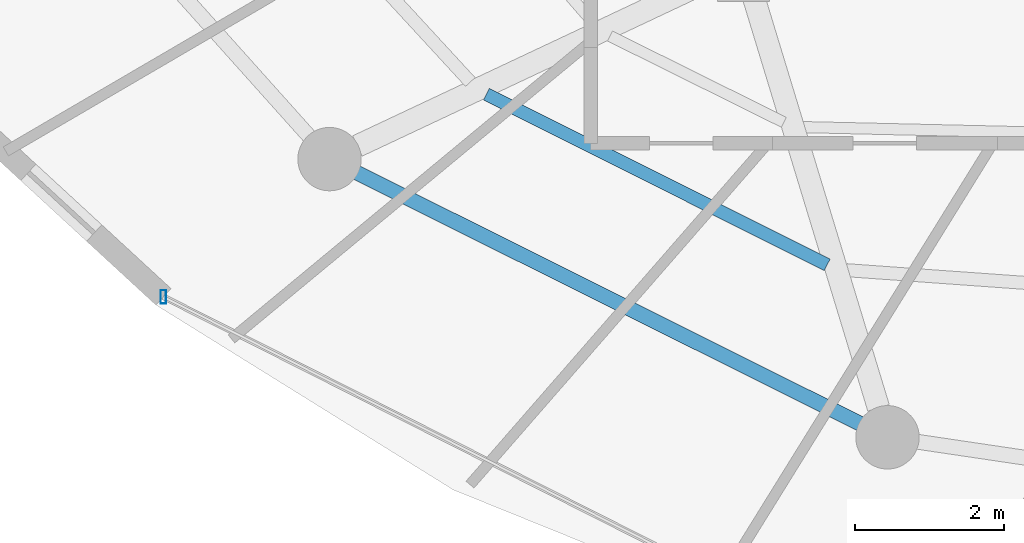
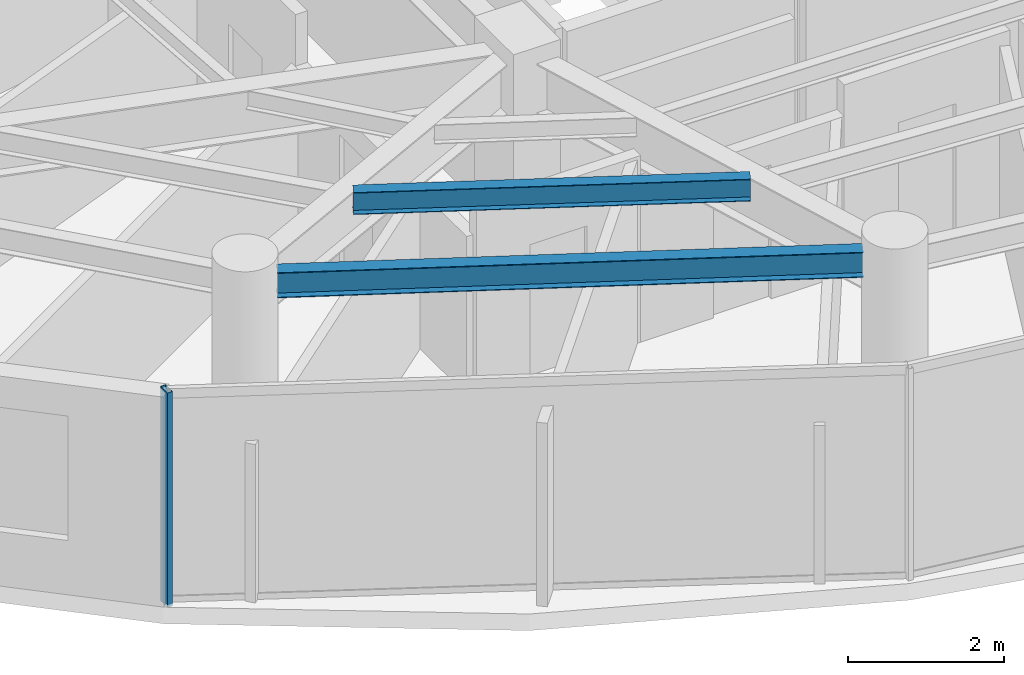
# One storey, part 2 of 30: 2 beams, 1 member, 1 element without a shape of its own.
"""IFC4 building model written with IfcOpenShell, lengths in metres."""

import ifcopenshell
import ifcopenshell.guid

model = None  # the IFC model being written
_history = None  # IfcOwnerHistory: only IFC2X3 demands one
_inside = {}  # id of a spatial element -> (the spatial element, [elements in it])
_under = {}  # id of a project, library or spatial element -> (it, [spatial elements below it])
_declared = {}  # id of a project -> (the project, [libraries it declares])
_typed = {}  # id of a type object -> (the type object, [elements of that type])
_made_of = {}  # id of a material, layer set ... -> (it, [elements and type objects made of it])


def new_model(schema):
    """Start an empty IFC model of exactly this schema.

    Asked for "IFC4X3", IfcOpenShell would pick the latest addendum, in which some entities
    have other attributes; the version numbers below select the first issue.
    IFC2X3 requires an IfcOwnerHistory on every rooted entity: one is made here for all.
    """
    global model, _history
    if schema == "IFC4X3":
        model = ifcopenshell.file(schema_version=(4, 3, 0, 0))
    else:
        model = ifcopenshell.file(schema=schema)
    _inside.clear()
    _under.clear()
    _declared.clear()
    _typed.clear()
    _made_of.clear()
    _history = None
    if model.schema == "IFC2X3":
        org = make("IfcOrganization", Name="unknown")
        user = make(
            "IfcPersonAndOrganization",
            ThePerson=make("IfcPerson", FamilyName="unknown"),
            TheOrganization=org,
        )
        app = make(
            "IfcApplication",
            ApplicationDeveloper=org,
            Version="unknown",
            ApplicationFullName="unknown",
            ApplicationIdentifier="unknown",
        )
        _history = make(
            "IfcOwnerHistory",
            OwningUser=user,
            OwningApplication=app,
            ChangeAction="ADDED",
            CreationDate=0,
        )
    return model


def make(cls, **values):
    """One entity of the class cls with the attributes given. An attribute that is None is left unset."""
    return model.create_entity(
        cls, **{name: value for name, value in values.items() if value is not None}
    )


def rooted(cls, **values):
    """An entity with a GlobalId (a new one), such as an element, a storey or a relation."""
    return make(cls, GlobalId=ifcopenshell.guid.new(), OwnerHistory=_history, **values)


def si_unit(unit_type, name, prefix=None):
    """IfcSIUnit, for example si_unit("LENGTHUNIT", "METRE", prefix="MILLI")."""
    return make("IfcSIUnit", UnitType=unit_type, Prefix=prefix, Name=name)


def assignment(units):
    """IfcUnitAssignment: the units of a project."""
    return None if units is None else make("IfcUnitAssignment", Units=units)


def point(xyz):
    """IfcCartesianPoint."""
    return None if xyz is None else make("IfcCartesianPoint", Coordinates=xyz)


def direction(xyz):
    """IfcDirection."""
    return None if xyz is None else make("IfcDirection", DirectionRatios=xyz)


def frame(location, z_axis=None, x_axis=None):
    """IfcAxis2Placement3D, a coordinate frame: its origin and axes. An axis left out is left unset."""
    return make(
        "IfcAxis2Placement3D",
        Location=point(location),
        Axis=direction(z_axis),
        RefDirection=direction(x_axis),
    )


def frame_2d(location, x_axis=None):
    """IfcAxis2Placement2D, a coordinate frame in the plane: its origin and x axis."""
    return make(
        "IfcAxis2Placement2D", Location=point(location), RefDirection=direction(x_axis)
    )


def origin():
    """The frame at (0, 0, 0) with its axes left unset."""
    return frame((0.0, 0.0, 0.0))


def origin_2d():
    """The frame at (0, 0) in the plane with its x axis left unset."""
    return frame_2d((0.0, 0.0))


def place(relative_to, where):
    """IfcLocalPlacement: puts the frame where relative to a parent placement (None: the world)."""
    return make(
        "IfcLocalPlacement", PlacementRelTo=relative_to, RelativePlacement=where
    )


def context(
    kind, dimensions, precision=None, world=None, true_north=None, identifier=None
):
    """IfcGeometricRepresentationContext, for example the 3D "Model" context."""
    return make(
        "IfcGeometricRepresentationContext",
        ContextIdentifier=identifier,
        ContextType=kind,
        CoordinateSpaceDimension=dimensions,
        Precision=precision,
        WorldCoordinateSystem=world,
        TrueNorth=true_north,
    )


def subcontext(parent, identifier, kind, view, scale=None):
    """IfcGeometricRepresentationSubContext, for example "Body" below "Model"."""
    return make(
        "IfcGeometricRepresentationSubContext",
        ContextIdentifier=identifier,
        ContextType=kind,
        ParentContext=parent,
        TargetScale=scale,
        TargetView=view,
    )


def project(units=None, contexts=None):
    """IfcProject with its units and contexts."""
    return rooted(
        "IfcProject",
        Name="project",
        RepresentationContexts=contexts,
        UnitsInContext=assignment(units),
    )


def spatial(cls, under=None, at=None, **own):
    """A site, building, storey or space (cls), placed at a placement, below another one or the project."""
    s = rooted(cls, ObjectPlacement=at, **own)
    if under is not None:
        _under.setdefault(under.id(), (under, []))[1].append(s)
    return s


def profile(cls, at=None, kind="AREA", **sizes):
    """A parametric profile (cls). Its sizes go by their IFC names, for example OverallWidth=200.0."""
    return make(cls, ProfileType=kind, Position=at, **sizes)


def hollow_rectangle(**sizes):
    """IfcRectangleHollowProfileDef."""
    return profile("IfcRectangleHollowProfileDef", **sizes)


def i_section(**sizes):
    """IfcIShapeProfileDef."""
    return profile("IfcIShapeProfileDef", **sizes)


def extrude(swept, where, along, depth):
    """IfcExtrudedAreaSolid: the profile swept, set in the frame where, extruded along a direction by depth."""
    return make(
        "IfcExtrudedAreaSolid",
        SweptArea=swept,
        Position=where,
        ExtrudedDirection=direction(along),
        Depth=depth,
    )


def shape(context_of_items, identifier, shape_type, items):
    """IfcShapeRepresentation: the items that make up one representation, for example the "Body"."""
    return make(
        "IfcShapeRepresentation",
        ContextOfItems=context_of_items,
        RepresentationIdentifier=identifier,
        RepresentationType=shape_type,
        Items=items,
    )


def material(Name=None, Category=None):
    """IfcMaterial."""
    return make("IfcMaterial", Name=Name, Category=Category)


def material_profile(
    of_material, cross_section, Name=None, Category=None, Priority=None
):
    """IfcMaterialProfile: a cross section and its material."""
    return make(
        "IfcMaterialProfile",
        Name=Name,
        Material=of_material,
        Profile=cross_section,
        Priority=Priority,
        Category=Category,
    )


def profile_set(profiles, Name=None, composite=None):
    """IfcMaterialProfileSet."""
    return make(
        "IfcMaterialProfileSet",
        Name=Name,
        MaterialProfiles=profiles,
        CompositeProfile=composite,
    )


def made_of(thing, what):
    """Note that an element or type object is made of a material, layer set ...; save() writes the relation."""
    if what is not None:
        _made_of.setdefault(what.id(), (what, []))[1].append(thing)
    return thing


def type_object(cls, material=None, **own):
    """A type object (cls), such as IfcWallType, which elements share."""
    return made_of(rooted(cls, **own), material)


def element(
    cls,
    number,
    at=None,
    inside=None,
    cuts=None,
    type_object=None,
    material=None,
    context=None,
    identifier="Body",
    shape_type=None,
    held_by="IfcProductDefinitionShape",
    body=None,
    shapes=None,
    **own,
):
    """One element of the class cls, such as IfcWall. Its Tag is "e" and its number.

    at: its placement. inside: the storey or other place that contains it. cuts: it is an
    opening in that element (IfcRelVoidsElement). A single representation is given by context,
    identifier, shape_type and body (its items); several are given by shapes. held_by: the class
    of the entity that holds the representations. save() writes the other relations.
    """
    e = rooted(cls, Tag="e%d" % number, ObjectPlacement=at, **own)
    if body is not None:
        shapes = [shape(context, identifier, shape_type, body)]
    if shapes is not None:
        e.Representation = make(held_by, Representations=shapes)
    if inside is not None:
        _inside.setdefault(inside.id(), (inside, []))[1].append(e)
    if cuts is not None:
        rooted(
            "IfcRelVoidsElement", RelatingBuildingElement=cuts, RelatedOpeningElement=e
        )
    if type_object is not None:
        _typed.setdefault(type_object.id(), (type_object, []))[1].append(e)
    return made_of(e, material)


def aggregate(whole, parts):
    """IfcRelAggregates: a whole, such as a stair, and the parts it consists of."""
    return rooted("IfcRelAggregates", RelatingObject=whole, RelatedObjects=parts)


def save(model, path):
    """Write the relations noted so far, then the file.

    IfcRelAggregates (storeys below a building ...), IfcRelContainedInSpatialStructure (elements
    in a storey), IfcRelDefinesByType, IfcRelAssociatesMaterial and IfcRelDeclares: one each for
    every whole, place, type object, material and project.
    """
    for whole, parts in _under.values():
        aggregate(whole, parts)
    for where, things in _inside.values():
        rooted(
            "IfcRelContainedInSpatialStructure",
            RelatedElements=things,
            RelatingStructure=where,
        )
    for kind, things in _typed.values():
        rooted("IfcRelDefinesByType", RelatedObjects=things, RelatingType=kind)
    for what, things in _made_of.values():
        rooted("IfcRelAssociatesMaterial", RelatedObjects=things, RelatingMaterial=what)
    for by, libraries in _declared.values():
        rooted("IfcRelDeclares", RelatingContext=by, RelatedDefinitions=libraries)
    model.write(path)


model = new_model("IFC4")

# Units and contexts
model_context = context("Model", 3, precision=1e-05, world=origin(), true_north=direction((0.0, 1.0)))
body_context = subcontext(model_context, "Body", "Model", "MODEL_VIEW")
ifc_project = project(units=[si_unit("LENGTHUNIT", "METRE"), si_unit("AREAUNIT", "SQUARE_METRE"), si_unit("VOLUMEUNIT", "CUBIC_METRE"), si_unit("PLANEANGLEUNIT", "RADIAN"), si_unit("MASSUNIT", "GRAM", prefix="KILO")], contexts=[model_context])

# Site, building, storey
site_placement = place(None, origin())
site = spatial("IfcSite", under=ifc_project, at=site_placement, CompositionType="ELEMENT")
building_placement = place(site_placement, origin())
building = spatial("IfcBuilding", under=site, at=building_placement, Name="Vorneva Point Tower", CompositionType="ELEMENT")
storey_placement = place(building_placement, frame((0.0, 0.0, 237.800048828125)))
storey = spatial("IfcBuildingStorey", under=building, at=storey_placement, Name="L64", CompositionType="ELEMENT", Elevation=237.800048828125)

# Beams
ifc_material_1 = material(Name="Steel S355", Category="steel")
ifc_material_profile_1 = material_profile(ifc_material_1, i_section(OverallWidth=0.174072265625, OverallDepth=0.345947265625, WebThickness=0.006103515625, FlangeThickness=0.009033203125, at=origin_2d()), Name="35B1")
ifc_profile_set_1 = profile_set([ifc_material_profile_1], Name="Steel S355")
beam_type_1 = type_object("IfcBeamType", Name="BM-SEC-35B1", PredefinedType="BEAM", material=ifc_profile_set_1)
beam_1_placement = place(storey_placement, frame((23.8046875, 14.7080078125, 3.116943359375), z_axis=(0.894121037804, -0.447825378643, 0.0), x_axis=(0.447825378643, 0.894121037804, 0.0)))
element("IfcBeam", 1, at=beam_1_placement, inside=storey, type_object=beam_type_1, Name="L64 Secondary Floor Beam 1.11", PredefinedType="BEAM", context=body_context, shape_type="SweptSolid", body=[
    extrude(i_section(OverallWidth=0.174072265625, OverallDepth=0.345947265625, WebThickness=0.006103515625, FlangeThickness=0.009033203125, at=origin_2d()), origin(), (0.0, 0.0, 1.0), 5.107177734375),
])
ifc_material_profile_2 = material_profile(ifc_material_1, i_section(OverallWidth=0.198974609375, OverallDepth=0.39599609375, WebThickness=0.007080078125, FlangeThickness=0.010986328125, at=origin_2d()), Name="40B1")
ifc_profile_set_2 = profile_set([ifc_material_profile_2], Name="Steel S355")
beam_type_2 = type_object("IfcBeamType", Name="BM-SPN-40B1", PredefinedType="SPANDREL", material=ifc_profile_set_2)
beam_2_placement = place(storey_placement, frame((22.068115234375, 13.65478515625, 3.092041015625), z_axis=(0.894932011528, -0.446202526599, 0.0), x_axis=(0.446202526599, 0.894932011528, 0.0)))
element("IfcBeam", 2, at=beam_2_placement, inside=storey, type_object=beam_type_2, Name="L64 Perimeter Spandrel Ring Beam 11", PredefinedType="SPANDREL", context=body_context, shape_type="SweptSolid", body=[
    extrude(i_section(OverallWidth=0.198974609375, OverallDepth=0.39599609375, WebThickness=0.007080078125, FlangeThickness=0.010986328125, at=origin_2d()), origin(), (0.0, 0.0, 1.0), 7.535888671875),
])

# Curtain wall, member
ifc_material_2 = material(Name="Pale anodised aluminium", Category="aluminium")
curtain_wall_type = type_object("IfcCurtainWallType", Name="CW-RES-SYS", PredefinedType="NOTDEFINED", material=ifc_material_2)
curtain_wall_placement = place(storey_placement, origin())
curtain_wall = element("IfcCurtainWall", 3, at=curtain_wall_placement, inside=storey, type_object=curtain_wall_type, Name="L64 Unitised Curtain Wall CW-L64-R04", PredefinedType="NOTDEFINED")
ifc_material_profile_3 = material_profile(ifc_material_2, hollow_rectangle(XDim=0.074951171875, YDim=0.179931640625, WallThickness=0.00390625, at=origin_2d()), Name="AL-MUL 180x75x4")
ifc_profile_set_3 = profile_set([ifc_material_profile_3], Name="Pale anodised aluminium")
member_type = type_object("IfcMemberType", Name="CW-MUL-180", PredefinedType="MULLION", material=ifc_profile_set_3)
member_placement = place(storey_placement, frame((19.473876953125, 11.9921875, -0.0400390625), z_axis=(0.0, 0.0, 1.0), x_axis=(1.0, 0.0, 0.0)))
member = element("IfcMember", 4, at=member_placement, type_object=member_type, Name="CW-L64-R04 Mullion 01", PredefinedType="MULLION", context=body_context, shape_type="SweptSolid", body=[
    extrude(hollow_rectangle(XDim=0.074951171875, YDim=0.179931640625, WallThickness=0.00390625, at=origin_2d()), origin(), (0.0, 0.0, 1.0), 3.360107421875),
])
aggregate(curtain_wall, [member])

save(model, "model.ifc")
